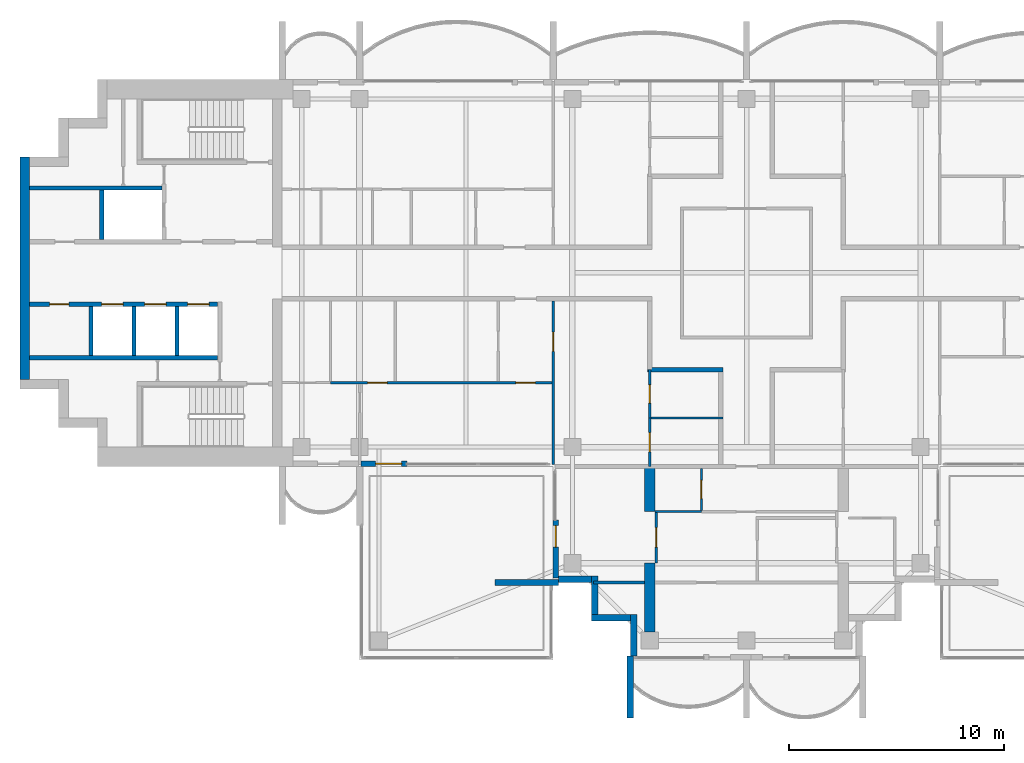
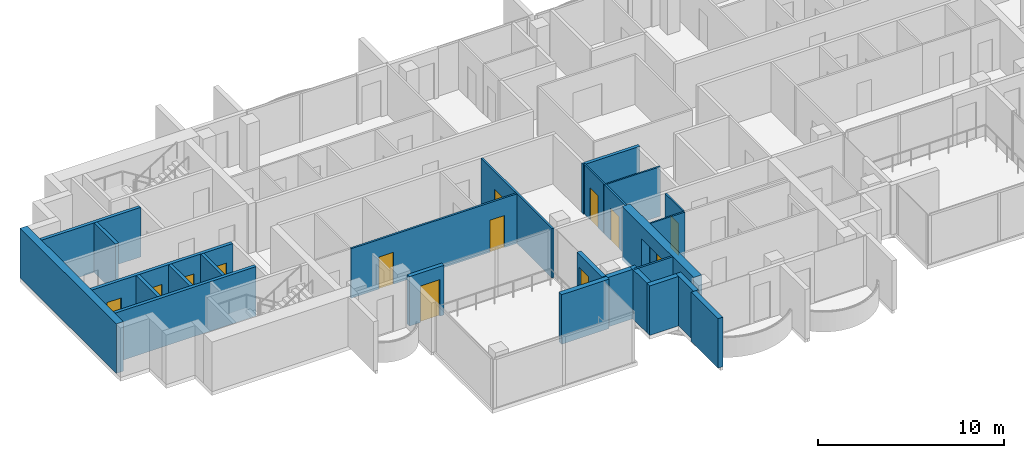
# One storey, part 7 of 16: 27 walls, 13 doors, 13 openings.
"""IFC4 building model written with IfcOpenShell, lengths in metres."""

import ifcopenshell
import ifcopenshell.guid

model = None  # the IFC model being written
_history = None  # IfcOwnerHistory: only IFC2X3 demands one
_inside = {}  # id of a spatial element -> (the spatial element, [elements in it])
_under = {}  # id of a project, library or spatial element -> (it, [spatial elements below it])
_declared = {}  # id of a project -> (the project, [libraries it declares])
_typed = {}  # id of a type object -> (the type object, [elements of that type])
_made_of = {}  # id of a material, layer set ... -> (it, [elements and type objects made of it])


def new_model(schema):
    """Start an empty IFC model of exactly this schema.

    Asked for "IFC4X3", IfcOpenShell would pick the latest addendum, in which some entities
    have other attributes; the version numbers below select the first issue.
    IFC2X3 requires an IfcOwnerHistory on every rooted entity: one is made here for all.
    """
    global model, _history
    if schema == "IFC4X3":
        model = ifcopenshell.file(schema_version=(4, 3, 0, 0))
    else:
        model = ifcopenshell.file(schema=schema)
    _inside.clear()
    _under.clear()
    _declared.clear()
    _typed.clear()
    _made_of.clear()
    _history = None
    if model.schema == "IFC2X3":
        org = make("IfcOrganization", Name="unknown")
        user = make(
            "IfcPersonAndOrganization",
            ThePerson=make("IfcPerson", FamilyName="unknown"),
            TheOrganization=org,
        )
        app = make(
            "IfcApplication",
            ApplicationDeveloper=org,
            Version="unknown",
            ApplicationFullName="unknown",
            ApplicationIdentifier="unknown",
        )
        _history = make(
            "IfcOwnerHistory",
            OwningUser=user,
            OwningApplication=app,
            ChangeAction="ADDED",
            CreationDate=0,
        )
    return model


def make(cls, **values):
    """One entity of the class cls with the attributes given. An attribute that is None is left unset."""
    return model.create_entity(
        cls, **{name: value for name, value in values.items() if value is not None}
    )


def rooted(cls, **values):
    """An entity with a GlobalId (a new one), such as an element, a storey or a relation."""
    return make(cls, GlobalId=ifcopenshell.guid.new(), OwnerHistory=_history, **values)


def si_unit(unit_type, name, prefix=None):
    """IfcSIUnit, for example si_unit("LENGTHUNIT", "METRE", prefix="MILLI")."""
    return make("IfcSIUnit", UnitType=unit_type, Prefix=prefix, Name=name)


def assignment(units):
    """IfcUnitAssignment: the units of a project."""
    return None if units is None else make("IfcUnitAssignment", Units=units)


def point(xyz):
    """IfcCartesianPoint."""
    return None if xyz is None else make("IfcCartesianPoint", Coordinates=xyz)


def direction(xyz):
    """IfcDirection."""
    return None if xyz is None else make("IfcDirection", DirectionRatios=xyz)


def frame(location, z_axis=None, x_axis=None):
    """IfcAxis2Placement3D, a coordinate frame: its origin and axes. An axis left out is left unset."""
    return make(
        "IfcAxis2Placement3D",
        Location=point(location),
        Axis=direction(z_axis),
        RefDirection=direction(x_axis),
    )


def frame_2d(location, x_axis=None):
    """IfcAxis2Placement2D, a coordinate frame in the plane: its origin and x axis."""
    return make(
        "IfcAxis2Placement2D", Location=point(location), RefDirection=direction(x_axis)
    )


def origin():
    """The frame at (0, 0, 0) with its axes left unset."""
    return frame((0.0, 0.0, 0.0))


def place(relative_to, where):
    """IfcLocalPlacement: puts the frame where relative to a parent placement (None: the world)."""
    return make(
        "IfcLocalPlacement", PlacementRelTo=relative_to, RelativePlacement=where
    )


def context(
    kind, dimensions, precision=None, world=None, true_north=None, identifier=None
):
    """IfcGeometricRepresentationContext, for example the 3D "Model" context."""
    return make(
        "IfcGeometricRepresentationContext",
        ContextIdentifier=identifier,
        ContextType=kind,
        CoordinateSpaceDimension=dimensions,
        Precision=precision,
        WorldCoordinateSystem=world,
        TrueNorth=true_north,
    )


def subcontext(parent, identifier, kind, view, scale=None):
    """IfcGeometricRepresentationSubContext, for example "Body" below "Model"."""
    return make(
        "IfcGeometricRepresentationSubContext",
        ContextIdentifier=identifier,
        ContextType=kind,
        ParentContext=parent,
        TargetScale=scale,
        TargetView=view,
    )


def project(units=None, contexts=None):
    """IfcProject with its units and contexts."""
    return rooted(
        "IfcProject",
        Name="project",
        RepresentationContexts=contexts,
        UnitsInContext=assignment(units),
    )


def spatial(cls, under=None, at=None, **own):
    """A site, building, storey or space (cls), placed at a placement, below another one or the project."""
    s = rooted(cls, ObjectPlacement=at, **own)
    if under is not None:
        _under.setdefault(under.id(), (under, []))[1].append(s)
    return s


def polyline(points):
    """IfcPolyline through the points."""
    return make("IfcPolyline", Points=[point(p) for p in points])


def profile(cls, at=None, kind="AREA", **sizes):
    """A parametric profile (cls). Its sizes go by their IFC names, for example OverallWidth=200.0."""
    return make(cls, ProfileType=kind, Position=at, **sizes)


def rectangle(**sizes):
    """IfcRectangleProfileDef."""
    return profile("IfcRectangleProfileDef", **sizes)


def outline(outer, holes=None, kind="AREA"):
    """IfcArbitraryClosedProfileDef: a profile drawn as a closed curve; with holes, ...WithVoids."""
    if holes is None:
        return make("IfcArbitraryClosedProfileDef", ProfileType=kind, OuterCurve=outer)
    return make(
        "IfcArbitraryProfileDefWithVoids",
        ProfileType=kind,
        OuterCurve=outer,
        InnerCurves=holes,
    )


def extrude(swept, where, along, depth):
    """IfcExtrudedAreaSolid: the profile swept, set in the frame where, extruded along a direction by depth."""
    return make(
        "IfcExtrudedAreaSolid",
        SweptArea=swept,
        Position=where,
        ExtrudedDirection=direction(along),
        Depth=depth,
    )


def shape(context_of_items, identifier, shape_type, items):
    """IfcShapeRepresentation: the items that make up one representation, for example the "Body"."""
    return make(
        "IfcShapeRepresentation",
        ContextOfItems=context_of_items,
        RepresentationIdentifier=identifier,
        RepresentationType=shape_type,
        Items=items,
    )


def material(Name=None, Category=None):
    """IfcMaterial."""
    return make("IfcMaterial", Name=Name, Category=Category)


def layer(
    of_material, thickness, ventilated=None, Name=None, Category=None, Priority=None
):
    """IfcMaterialLayer: one layer of a wall or slab, of a material (None: an air gap)."""
    return make(
        "IfcMaterialLayer",
        Material=of_material,
        LayerThickness=thickness,
        IsVentilated=ventilated,
        Name=Name,
        Category=Category,
        Priority=Priority,
    )


def layer_set(layers, Name=None):
    """IfcMaterialLayerSet."""
    return make("IfcMaterialLayerSet", MaterialLayers=layers, LayerSetName=Name)


def material_profile(
    of_material, cross_section, Name=None, Category=None, Priority=None
):
    """IfcMaterialProfile: a cross section and its material."""
    return make(
        "IfcMaterialProfile",
        Name=Name,
        Material=of_material,
        Profile=cross_section,
        Priority=Priority,
        Category=Category,
    )


def profile_set(profiles, Name=None, composite=None):
    """IfcMaterialProfileSet."""
    return make(
        "IfcMaterialProfileSet",
        Name=Name,
        MaterialProfiles=profiles,
        CompositeProfile=composite,
    )


def made_of(thing, what):
    """Note that an element or type object is made of a material, layer set ...; save() writes the relation."""
    if what is not None:
        _made_of.setdefault(what.id(), (what, []))[1].append(thing)
    return thing


def type_object(cls, material=None, **own):
    """A type object (cls), such as IfcWallType, which elements share."""
    return made_of(rooted(cls, **own), material)


def element(
    cls,
    number,
    at=None,
    inside=None,
    cuts=None,
    type_object=None,
    material=None,
    context=None,
    identifier="Body",
    shape_type=None,
    held_by="IfcProductDefinitionShape",
    body=None,
    shapes=None,
    **own,
):
    """One element of the class cls, such as IfcWall. Its Tag is "e" and its number.

    at: its placement. inside: the storey or other place that contains it. cuts: it is an
    opening in that element (IfcRelVoidsElement). A single representation is given by context,
    identifier, shape_type and body (its items); several are given by shapes. held_by: the class
    of the entity that holds the representations. save() writes the other relations.
    """
    e = rooted(cls, Tag="e%d" % number, ObjectPlacement=at, **own)
    if body is not None:
        shapes = [shape(context, identifier, shape_type, body)]
    if shapes is not None:
        e.Representation = make(held_by, Representations=shapes)
    if inside is not None:
        _inside.setdefault(inside.id(), (inside, []))[1].append(e)
    if cuts is not None:
        rooted(
            "IfcRelVoidsElement", RelatingBuildingElement=cuts, RelatedOpeningElement=e
        )
    if type_object is not None:
        _typed.setdefault(type_object.id(), (type_object, []))[1].append(e)
    return made_of(e, material)


def fill(opening, filler):
    """IfcRelFillsElement: the door or window that sits in an opening."""
    return rooted(
        "IfcRelFillsElement",
        RelatingOpeningElement=opening,
        RelatedBuildingElement=filler,
    )


def aggregate(whole, parts):
    """IfcRelAggregates: a whole, such as a stair, and the parts it consists of."""
    return rooted("IfcRelAggregates", RelatingObject=whole, RelatedObjects=parts)


def save(model, path):
    """Write the relations noted so far, then the file.

    IfcRelAggregates (storeys below a building ...), IfcRelContainedInSpatialStructure (elements
    in a storey), IfcRelDefinesByType, IfcRelAssociatesMaterial and IfcRelDeclares: one each for
    every whole, place, type object, material and project.
    """
    for whole, parts in _under.values():
        aggregate(whole, parts)
    for where, things in _inside.values():
        rooted(
            "IfcRelContainedInSpatialStructure",
            RelatedElements=things,
            RelatingStructure=where,
        )
    for kind, things in _typed.values():
        rooted("IfcRelDefinesByType", RelatedObjects=things, RelatingType=kind)
    for what, things in _made_of.values():
        rooted("IfcRelAssociatesMaterial", RelatedObjects=things, RelatingMaterial=what)
    for by, libraries in _declared.values():
        rooted("IfcRelDeclares", RelatingContext=by, RelatedDefinitions=libraries)
    model.write(path)


model = new_model("IFC4")

# Units and contexts
model_context = context("Model", 3, precision=1e-05, world=origin(), true_north=direction((0.0, 1.0)))
body_context = subcontext(model_context, "Body", "Model", "MODEL_VIEW")
ifc_project = project(units=[si_unit("LENGTHUNIT", "METRE"), si_unit("AREAUNIT", "SQUARE_METRE"), si_unit("VOLUMEUNIT", "CUBIC_METRE"), si_unit("PLANEANGLEUNIT", "RADIAN"), si_unit("MASSUNIT", "GRAM", prefix="KILO")], contexts=[model_context])

# Site, building, storey
site_placement = place(None, origin())
site = spatial("IfcSite", under=ifc_project, at=site_placement, CompositionType="ELEMENT")
building_placement = place(site_placement, origin())
building = spatial("IfcBuilding", under=site, at=building_placement, Name="Perihelion Cross Residences", CompositionType="ELEMENT")
storey_placement = place(building_placement, frame((0.0, 0.0, 243.0)))
storey = spatial("IfcBuildingStorey", under=building, at=storey_placement, Name="L61", CompositionType="ELEMENT", Elevation=243.0)

# Wall
ifc_material_1 = material(Name="Plasterboard partition")
ifc_layer_1 = layer(ifc_material_1, 0.199951171875)
ifc_layer_set_1 = layer_set([ifc_layer_1], Name="Apartment separation wall 200")
wall_type_1 = type_object("IfcWallType", Name="Apartment separation wall 200", PredefinedType="PARTITIONING", material=ifc_layer_set_1)
wall_1_placement = place(storey_placement, frame((-1.10009765625, -4.5, 0.0), z_axis=(0.0, 0.0, 1.0), x_axis=(-1.0, 0.0, 0.0)))
element("IfcWall", 1, at=wall_1_placement, inside=storey, type_object=wall_type_1, Name="Partition L61 W020", PredefinedType="PARTITIONING", context=body_context, shape_type="SweptSolid", body=[
    extrude(rectangle(XDim=3.5, YDim=0.199951171875, at=frame_2d((1.75, 0.0))), origin(), (0.0, 0.0, 1.0), 3.25),
])

# Wall, opening, door
ifc_material_2 = material(Name="Concrete C30/37, bronze-clad", Category="concrete")
ifc_layer_2 = layer(ifc_material_2, 0.25)
ifc_layer_set_2 = layer_set([ifc_layer_2], Name="Bronze-clad pier wall 250")
wall_type_2 = type_object("IfcWallType", Name="Bronze-clad pier wall 250", PredefinedType="SOLIDWALL", material=ifc_layer_set_2)
wall_2_placement = place(storey_placement, frame((-17.93994140625, -8.875, 0.0), z_axis=(0.0, 0.0, 1.0), x_axis=(1.0, 0.0, 0.0)))
wall_2 = element("IfcWall", 2, at=wall_2_placement, inside=storey, type_object=wall_type_2, Name="Wall FW1 L61 west side south bay 2 pier", PredefinedType="SOLIDWALL", context=body_context, shape_type="SweptSolid", body=[
    extrude(rectangle(XDim=2.139892578125, YDim=0.25, at=frame_2d((1.06982421875, 0.0))), origin(), (0.0, 0.0, 1.0), 3.25),
])
opening_1_placement = place(wall_2_placement, frame((0.68994140625, 0.0, 0.0)))
opening_1 = element("IfcOpeningElement", 3, at=opening_1_placement, cuts=wall_2, Name="Opening L61.E08", PredefinedType="OPENING", context=body_context, shape_type="SweptSolid", body=[
    extrude(rectangle(XDim=1.199951171875, YDim=2.39990234375, at=frame_2d((0.60009765625, 1.199951171875))), frame((0.0, 0.135009765625, 0.0), z_axis=(0.0, -1.0, 0.0), x_axis=(1.0, 0.0, 0.0)), (0.0, 0.0, 1.0), 0.27001953125),
])
ifc_material_3 = material(Name="Bronze anodised aluminium, glazed", Category="aluminium")
door_type_1 = type_object("IfcDoorType", Name="Balcony door 1200 x 2400", OperationType="NOTDEFINED", PredefinedType="DOOR", material=ifc_material_3)
door_1_placement = place(opening_1_placement, origin())
door_1 = element("IfcDoor", 4, at=door_1_placement, inside=storey, type_object=door_type_1, Name="Door L61.E08 west side south bay 2", OperationType="SINGLE_SWING_RIGHT", OverallHeight=2.39990234375, OverallWidth=1.199951171875, PredefinedType="DOOR", context=body_context, shape_type="SweptSolid", body=[
    extrude(rectangle(XDim=1.199951171875, YDim=2.39990234375, at=frame_2d((0.60009765625, 1.199951171875))), frame((0.0, 0.02490234375, 0.0), z_axis=(0.0, -1.0, 0.0), x_axis=(1.0, 0.0, 0.0)), (0.0, 0.0, 1.0), 0.050048828125),
])
fill(opening_1, door_1)

wall_3_placement = place(storey_placement, frame((-8.875, -11.5, 0.0), z_axis=(0.0, 0.0, 1.0), x_axis=(0.0, -1.0, 0.0)))
wall_3 = element("IfcWall", 5, at=wall_3_placement, inside=storey, type_object=wall_type_2, Name="Wall FW1 L61 south side west bay 1 pier", PredefinedType="SOLIDWALL", context=body_context, shape_type="SweptSolid", body=[
    extrude(rectangle(XDim=2.699951171875, YDim=0.25, at=frame_2d((1.35009765625, 0.0))), origin(), (0.0, 0.0, 1.0), 3.25),
])
opening_2_placement = place(wall_3_placement, frame((0.25, 0.0, 0.0)))
opening_2 = element("IfcOpeningElement", 6, at=opening_2_placement, cuts=wall_3, Name="Opening L61.E09", PredefinedType="OPENING", context=body_context, shape_type="SweptSolid", body=[
    extrude(rectangle(XDim=1.0, YDim=2.39990234375, at=frame_2d((0.5, 1.199951171875))), frame((0.0, 0.135009765625, 0.0), z_axis=(0.0, -1.0, 0.0), x_axis=(1.0, 0.0, 0.0)), (0.0, 0.0, 1.0), 0.27001953125),
])
ifc_material_4 = material(Name="Bronze anodised aluminium, glazed", Category="aluminium")
door_type_2 = type_object("IfcDoorType", Name="Balcony door 1000 x 2400", OperationType="NOTDEFINED", PredefinedType="DOOR", material=ifc_material_4)
door_2_placement = place(opening_2_placement, origin())
door_2 = element("IfcDoor", 7, at=door_2_placement, inside=storey, type_object=door_type_2, Name="Door L61.E09 south side west bay 1", OperationType="SINGLE_SWING_LEFT", OverallHeight=2.39990234375, OverallWidth=1.0, PredefinedType="DOOR", context=body_context, shape_type="SweptSolid", body=[
    extrude(rectangle(XDim=1.0, YDim=2.39990234375, at=frame_2d((0.5, 1.199951171875))), frame((0.0, 0.02490234375, 0.0), z_axis=(0.0, -1.0, 0.0), x_axis=(1.0, 0.0, 0.0)), (0.0, 0.0, 1.0), 0.050048828125),
])
fill(opening_2, door_2)

# Walls
ifc_material_5 = material(Name="Concrete C30/37, bronze-clad", Category="concrete")
ifc_layer_3 = layer(ifc_material_5, 0.300048828125)
ifc_layer_set_3 = layer_set([ifc_layer_3], Name="Bronze-clad serration wall 300")
wall_type_3 = type_object("IfcWallType", Name="Bronze-clad serration wall 300", PredefinedType="SOLIDWALL", material=ifc_layer_set_3)
wall_4_placement = place(storey_placement, frame((-8.75, -14.25, 0.0), z_axis=(0.0, 0.0, 1.0), x_axis=(1.0, 0.0, 0.0)))
element("IfcWall", 8, at=wall_4_placement, inside=storey, type_object=wall_type_3, Name="Wall SR1 L61 south corner south-west 1", PredefinedType="SOLIDWALL", context=body_context, shape_type="SweptSolid", body=[
    extrude(rectangle(XDim=1.550048828125, YDim=0.300048828125, at=frame_2d((0.77490234375, 0.0))), origin(), (0.0, 0.0, 1.0), 3.25),
])
wall_5_placement = place(storey_placement, frame((-7.050048828125, -14.10009765625, 0.0), z_axis=(0.0, 0.0, 1.0), x_axis=(0.0, -1.0, 0.0)))
element("IfcWall", 9, at=wall_5_placement, inside=storey, type_object=wall_type_3, Name="Wall SR1 L61 south corner south-west 2", PredefinedType="SOLIDWALL", context=body_context, shape_type="SweptSolid", body=[
    extrude(rectangle(XDim=1.7998046875, YDim=0.300048828125, at=frame_2d((0.89990234375, 0.0))), origin(), (0.0, 0.0, 1.0), 3.25),
])
wall_6_placement = place(storey_placement, frame((-7.199951171875, -16.050048828125, 0.0), z_axis=(0.0, 0.0, 1.0), x_axis=(1.0, 0.0, 0.0)))
element("IfcWall", 10, at=wall_6_placement, inside=storey, type_object=wall_type_3, Name="Wall SR1 L61 south corner south-west 3", PredefinedType="SOLIDWALL", context=body_context, shape_type="SweptSolid", body=[
    extrude(rectangle(XDim=1.800048828125, YDim=0.300048828125, at=frame_2d((0.89990234375, 0.0))), origin(), (0.0, 0.0, 1.0), 3.25),
])
wall_7_placement = place(storey_placement, frame((-5.25, -15.89990234375, 0.0), z_axis=(0.0, 0.0, 1.0), x_axis=(0.0, -1.0, 0.0)))
element("IfcWall", 11, at=wall_7_placement, inside=storey, type_object=wall_type_3, Name="Wall SR1 L61 south corner south-west 4", PredefinedType="SOLIDWALL", context=body_context, shape_type="SweptSolid", body=[
    extrude(rectangle(XDim=1.920166015625, YDim=0.300048828125, at=frame_2d((0.9599609375, 0.0))), origin(), (0.0, 0.0, 1.0), 3.25),
])
ifc_material_6 = material(Name="Concrete C60/75", Category="concrete")
ifc_layer_4 = layer(ifc_material_6, 0.449951171875)
ifc_layer_set_4 = layer_set([ifc_layer_4], Name="Core wall, outer 450")
wall_type_4 = type_object("IfcWallType", Name="Core wall, outer 450", PredefinedType="SHEAR", material=ifc_layer_set_4)
wall_8_placement = place(storey_placement, frame((-33.574951171875, -4.949951171875, 0.0), z_axis=(0.0, 0.0, 1.0), x_axis=(0.0, 1.0, 0.0)))
element("IfcWall", 12, at=wall_8_placement, inside=storey, type_object=wall_type_4, Name="West core core wall, outer", PredefinedType="SHEAR", context=body_context, shape_type="SweptSolid", body=[
    extrude(rectangle(XDim=10.349853515625, YDim=0.449951171875, at=frame_2d((5.1748046875, 0.0))), origin(), (0.0, 0.0, 1.0), 3.25),
])

# Wall, opening, door
ifc_material_7 = material(Name="Plasterboard partition")
ifc_layer_5 = layer(ifc_material_7, 0.1201171875)
ifc_layer_set_5 = layer_set([ifc_layer_5], Name="Infill panel 120")
wall_type_5 = type_object("IfcWallType", Name="Infill panel 120", PredefinedType="PARTITIONING", material=ifc_layer_set_5)
wall_9_placement = place(storey_placement, frame((-4.18994140625, -11.10009765625, 0.0), z_axis=(0.0, 0.0, 1.0), x_axis=(0.0, -1.0, 0.0)))
wall_9 = element("IfcWall", 13, at=wall_9_placement, inside=storey, type_object=wall_type_5, Name="Partition L61 WI02", PredefinedType="PARTITIONING", context=body_context, shape_type="SweptSolid", body=[
    extrude(rectangle(XDim=2.39990234375, YDim=0.1201171875, at=frame_2d((1.199951171875, 0.0))), origin(), (0.0, 0.0, 1.0), 2.39990234375),
])
opening_3_placement = place(wall_9_placement, frame((0.75, 0.0, 0.0)))
opening_3 = element("IfcOpeningElement", 14, at=opening_3_placement, cuts=wall_9, Name="Opening L61.A43", PredefinedType="OPENING", context=body_context, shape_type="SweptSolid", body=[
    extrude(rectangle(XDim=0.89990234375, YDim=2.10009765625, at=frame_2d((0.449951171875, 1.050048828125))), frame((0.0, 0.070068359375, 0.0), z_axis=(0.0, -1.0, 0.0), x_axis=(1.0, 0.0, 0.0)), (0.0, 0.0, 1.0), 0.14013671875),
])
ifc_material_8 = material(Name="Timber door leaf", Category="wood")
door_type_3 = type_object("IfcDoorType", Name="Interior room door 900 x 2100", OperationType="SINGLE_SWING_LEFT", PredefinedType="DOOR", material=ifc_material_8)
door_3_placement = place(opening_3_placement, origin())
door_3 = element("IfcDoor", 15, at=door_3_placement, inside=storey, type_object=door_type_3, Name="Door L61.A43", OperationType="SINGLE_SWING_LEFT", OverallHeight=2.10009765625, OverallWidth=0.89990234375, PredefinedType="DOOR", context=body_context, shape_type="SweptSolid", body=[
    extrude(rectangle(XDim=0.89990234375, YDim=2.10009765625, at=frame_2d((0.449951171875, 1.050048828125))), frame((0.0, 0.02490234375, 0.0), z_axis=(0.0, -1.0, 0.0), x_axis=(1.0, 0.0, 0.0)), (0.0, 0.0, 1.0), 0.050048828125),
])
fill(opening_3, door_3)

# Wall, openings, doors
ifc_material_9 = material(Name="Plasterboard partition")
ifc_layer_6 = layer(ifc_material_9, 0.1201171875)
ifc_layer_set_6 = layer_set([ifc_layer_6], Name="Partition wall 120")
wall_type_6 = type_object("IfcWallType", Name="Partition wall 120", PredefinedType="PARTITIONING", material=ifc_layer_set_6)
wall_10_placement = place(storey_placement, frame((-8.93994140625, -5.10009765625, 0.0), z_axis=(0.0, 0.0, 1.0), x_axis=(-1.0, 0.0, 0.0)))
wall_10 = element("IfcWall", 16, at=wall_10_placement, inside=storey, type_object=wall_type_6, Name="Partition L61 W052", PredefinedType="PARTITIONING", context=body_context, shape_type="SweptSolid", body=[
    extrude(rectangle(XDim=10.41015625, YDim=0.1201171875, at=frame_2d((5.205078125, 0.0))), origin(), (0.0, 0.0, 1.0), 3.25),
])
opening_4_placement = place(wall_10_placement, frame((0.885009765625, 0.0, 0.0)))
opening_4 = element("IfcOpeningElement", 17, at=opening_4_placement, cuts=wall_10, Name="Opening L61.A30", PredefinedType="OPENING", context=body_context, shape_type="SweptSolid", body=[
    extrude(rectangle(XDim=0.89990234375, YDim=2.10009765625, at=frame_2d((0.449951171875, 1.050048828125))), frame((0.0, 0.070068359375, 0.0), z_axis=(0.0, -1.0, 0.0), x_axis=(1.0, 0.0, 0.0)), (0.0, 0.0, 1.0), 0.14013671875),
])
opening_5_placement = place(wall_10_placement, frame((7.784912109375, 0.0, 0.0)))
opening_5 = element("IfcOpeningElement", 18, at=opening_5_placement, cuts=wall_10, Name="Opening L61.A31", PredefinedType="OPENING", context=body_context, shape_type="SweptSolid", body=[
    extrude(rectangle(XDim=0.89990234375, YDim=2.10009765625, at=frame_2d((0.449951171875, 1.050048828125))), frame((0.0, 0.070068359375, 0.0), z_axis=(0.0, -1.0, 0.0), x_axis=(1.0, 0.0, 0.0)), (0.0, 0.0, 1.0), 0.14013671875),
])
door_4_placement = place(opening_4_placement, origin())
door_4 = element("IfcDoor", 19, at=door_4_placement, inside=storey, type_object=door_type_3, Name="Door L61.A30", OperationType="SINGLE_SWING_RIGHT", OverallHeight=2.10009765625, OverallWidth=0.89990234375, PredefinedType="DOOR", context=body_context, shape_type="SweptSolid", body=[
    extrude(rectangle(XDim=0.89990234375, YDim=2.10009765625, at=frame_2d((0.449951171875, 1.050048828125))), frame((0.0, 0.02490234375, 0.0), z_axis=(0.0, -1.0, 0.0), x_axis=(1.0, 0.0, 0.0)), (0.0, 0.0, 1.0), 0.050048828125),
])
fill(opening_4, door_4)
door_5_placement = place(opening_5_placement, origin())
door_5 = element("IfcDoor", 20, at=door_5_placement, inside=storey, type_object=door_type_3, Name="Door L61.A31", OperationType="SINGLE_SWING_LEFT", OverallHeight=2.10009765625, OverallWidth=0.89990234375, PredefinedType="DOOR", context=body_context, shape_type="SweptSolid", body=[
    extrude(rectangle(XDim=0.89990234375, YDim=2.10009765625, at=frame_2d((0.449951171875, 1.050048828125))), frame((0.0, 0.02490234375, 0.0), z_axis=(0.0, -1.0, 0.0), x_axis=(1.0, 0.0, 0.0)), (0.0, 0.0, 1.0), 0.050048828125),
])
fill(opening_5, door_5)

# Wall, opening, door
wall_11_placement = place(storey_placement, frame((-9.0, -1.300048828125, 0.0), z_axis=(0.0, 0.0, 1.0), x_axis=(0.0, -1.0, 0.0)))
wall_11 = element("IfcWall", 21, at=wall_11_placement, inside=storey, type_object=wall_type_6, Name="Partition L61 W053", PredefinedType="PARTITIONING", context=body_context, shape_type="SweptSolid", body=[
    extrude(rectangle(XDim=7.619873046875, YDim=0.1201171875, at=frame_2d((3.81005859375, 0.0))), origin(), (0.0, 0.0, 1.0), 3.25),
])
opening_6_placement = place(wall_11_placement, frame((1.449951171875, 0.0, 0.0)))
opening_6 = element("IfcOpeningElement", 22, at=opening_6_placement, cuts=wall_11, Name="Opening L61.A26", PredefinedType="OPENING", context=body_context, shape_type="SweptSolid", body=[
    extrude(rectangle(XDim=0.89990234375, YDim=2.10009765625, at=frame_2d((0.449951171875, 1.050048828125))), frame((0.0, 0.070068359375, 0.0), z_axis=(0.0, -1.0, 0.0), x_axis=(1.0, 0.0, 0.0)), (0.0, 0.0, 1.0), 0.14013671875),
])
door_6_placement = place(opening_6_placement, origin())
door_6 = element("IfcDoor", 23, at=door_6_placement, inside=storey, type_object=door_type_3, Name="Door L61.A26", OperationType="SINGLE_SWING_RIGHT", OverallHeight=2.10009765625, OverallWidth=0.89990234375, PredefinedType="DOOR", context=body_context, shape_type="SweptSolid", body=[
    extrude(rectangle(XDim=0.89990234375, YDim=2.10009765625, at=frame_2d((0.449951171875, 1.050048828125))), frame((0.0, 0.02490234375, 0.0), z_axis=(0.0, -1.0, 0.0), x_axis=(1.0, 0.0, 0.0)), (0.0, 0.0, 1.0), 0.050048828125),
])
fill(opening_6, door_6)

wall_12_placement = place(storey_placement, frame((-4.5, -6.75, 0.0), z_axis=(0.0, 0.0, 1.0), x_axis=(0.0, -1.0, 0.0)))
wall_12 = element("IfcWall", 24, at=wall_12_placement, inside=storey, type_object=wall_type_6, Name="Partition L61 W059", PredefinedType="PARTITIONING", context=body_context, shape_type="SweptSolid", body=[
    extrude(rectangle(XDim=2.25, YDim=0.1201171875, at=frame_2d((1.125, 0.0))), origin(), (0.0, 0.0, 1.0), 3.25),
])
opening_7_placement = place(wall_12_placement, frame((0.675048828125, 0.0, 0.0)))
opening_7 = element("IfcOpeningElement", 25, at=opening_7_placement, cuts=wall_12, Name="Opening L61.A28", PredefinedType="OPENING", context=body_context, shape_type="SweptSolid", body=[
    extrude(rectangle(XDim=0.89990234375, YDim=2.10009765625, at=frame_2d((0.449951171875, 1.050048828125))), frame((0.0, 0.070068359375, 0.0), z_axis=(0.0, -1.0, 0.0), x_axis=(1.0, 0.0, 0.0)), (0.0, 0.0, 1.0), 0.14013671875),
])
door_7_placement = place(opening_7_placement, origin())
door_7 = element("IfcDoor", 26, at=door_7_placement, inside=storey, type_object=door_type_3, Name="Door L61.A28", OperationType="SINGLE_SWING_RIGHT", OverallHeight=2.10009765625, OverallWidth=0.89990234375, PredefinedType="DOOR", context=body_context, shape_type="SweptSolid", body=[
    extrude(rectangle(XDim=0.89990234375, YDim=2.10009765625, at=frame_2d((0.449951171875, 1.050048828125))), frame((0.0, 0.02490234375, 0.0), z_axis=(0.0, -1.0, 0.0), x_axis=(1.0, 0.0, 0.0)), (0.0, 0.0, 1.0), 0.050048828125),
])
fill(opening_7, door_7)

# Walls
wall_13_placement = place(storey_placement, frame((-4.75, -14.39990234375, 0.0), z_axis=(0.0, 0.0, 1.0), x_axis=(-1.0, 0.0, 0.0)))
element("IfcWall", 27, at=wall_13_placement, inside=storey, type_object=wall_type_6, Name="Partition L61 W070", PredefinedType="PARTITIONING", context=body_context, shape_type="SweptSolid", body=[
    extrude(rectangle(XDim=2.3701171875, YDim=0.1201171875, at=frame_2d((1.18505859375, 0.0))), origin(), (0.0, 0.0, 1.0), 3.25),
])
ifc_material_10 = material(Name="Precast concrete C50/60", Category="concrete")
ifc_layer_7 = layer(ifc_material_10, 0.300048828125)
ifc_layer_set_7 = layer_set([ifc_layer_7], Name="Precast concrete C50/60 blade wall 300")
wall_type_7 = type_object("IfcWallType", Name="Precast concrete C50/60 blade wall 300", PredefinedType="SOLIDWALL", material=ifc_layer_set_7)
wall_14_placement = place(storey_placement, frame((-8.75, -14.39990234375, 0.0), z_axis=(0.0, 0.0, 1.0), x_axis=(-1.0, 0.0, 0.0)))
element("IfcWall", 28, at=wall_14_placement, inside=storey, type_object=wall_type_7, Name="Wall BL1 L61 no. 6", PredefinedType="SOLIDWALL", context=body_context, shape_type="SweptSolid", body=[
    extrude(rectangle(XDim=2.949951171875, YDim=0.300048828125, at=frame_2d((1.47509765625, 0.0))), origin(), (0.0, 0.0, 1.0), 3.25),
])
wall_15_placement = place(storey_placement, frame((-5.39990234375, -17.820068359375, 0.0), z_axis=(0.0, 0.0, 1.0), x_axis=(0.0, -1.0, 0.0)))
element("IfcWall", 29, at=wall_15_placement, inside=storey, type_object=wall_type_7, Name="Wall BL1 L61 no. 5", PredefinedType="SOLIDWALL", context=body_context, shape_type="SweptSolid", body=[
    extrude(rectangle(XDim=2.8798828125, YDim=0.300048828125, at=frame_2d((1.43994140625, 0.0))), origin(), (0.0, 0.0, 1.0), 3.25),
])

# Wall, openings, doors
ifc_material_11 = material(Name="Concrete C50/60", Category="concrete")
ifc_layer_8 = layer(ifc_material_11, 0.199951171875)
ifc_layer_set_8 = layer_set([ifc_layer_8], Name="Shaft wall 200")
wall_type_8 = type_object("IfcWallType", Name="Shaft wall 200", PredefinedType="SOLIDWALL", material=ifc_layer_set_8)
wall_16_placement = place(storey_placement, frame((-33.35009765625, -1.449951171875, 0.0), z_axis=(0.0, 0.0, 1.0), x_axis=(1.0, 0.0, 0.0)))
wall_16 = element("IfcWall", 30, at=wall_16_placement, inside=storey, type_object=wall_type_8, Name="West core shaft wall", PredefinedType="SOLIDWALL", context=body_context, shape_type="SweptSolid", body=[
    extrude(rectangle(XDim=8.75, YDim=0.199951171875, at=frame_2d((4.375, 0.0))), origin(), (0.0, 0.0, 1.0), 3.25),
])
opening_8_placement = place(wall_16_placement, frame((7.35009765625, 0.0, 0.0)))
opening_8 = element("IfcOpeningElement", 31, at=opening_8_placement, cuts=wall_16, Name="Opening L61.C15", PredefinedType="OPENING", context=body_context, shape_type="SweptSolid", body=[
    extrude(rectangle(XDim=1.0, YDim=2.10009765625, at=frame_2d((0.5, 1.050048828125))), frame((0.0, 0.10986328125, 0.0), z_axis=(0.0, -1.0, 0.0), x_axis=(1.0, 0.0, 0.0)), (0.0, 0.0, 1.0), 0.219970703125),
])
opening_9_placement = place(wall_16_placement, frame((5.35009765625, 0.0, 0.0)))
opening_9 = element("IfcOpeningElement", 32, at=opening_9_placement, cuts=wall_16, Name="Opening L61.C17", PredefinedType="OPENING", context=body_context, shape_type="SweptSolid", body=[
    extrude(rectangle(XDim=1.0, YDim=2.10009765625, at=frame_2d((0.5, 1.050048828125))), frame((0.0, 0.10986328125, 0.0), z_axis=(0.0, -1.0, 0.0), x_axis=(1.0, 0.0, 0.0)), (0.0, 0.0, 1.0), 0.219970703125),
])
opening_10_placement = place(wall_16_placement, frame((3.35009765625, 0.0, 0.0)))
opening_10 = element("IfcOpeningElement", 33, at=opening_10_placement, cuts=wall_16, Name="Opening L61.C18", PredefinedType="OPENING", context=body_context, shape_type="SweptSolid", body=[
    extrude(rectangle(XDim=1.0, YDim=2.10009765625, at=frame_2d((0.5, 1.050048828125))), frame((0.0, 0.10986328125, 0.0), z_axis=(0.0, -1.0, 0.0), x_axis=(1.0, 0.0, 0.0)), (0.0, 0.0, 1.0), 0.219970703125),
])
opening_11_placement = place(wall_16_placement, frame((0.925048828125, 0.0, 0.0)))
opening_11 = element("IfcOpeningElement", 34, at=opening_11_placement, cuts=wall_16, Name="Opening L61.C28", PredefinedType="OPENING", context=body_context, shape_type="SweptSolid", body=[
    extrude(rectangle(XDim=0.89990234375, YDim=2.10009765625, at=frame_2d((0.449951171875, 1.050048828125))), frame((0.0, 0.10986328125, 0.0), z_axis=(0.0, -1.0, 0.0), x_axis=(1.0, 0.0, 0.0)), (0.0, 0.0, 1.0), 0.219970703125),
])
ifc_material_12 = material(Name="Stainless steel", Category="steel")
door_type_4 = type_object("IfcDoorType", Name="Landing door 1000", OperationType="DOUBLE_DOOR_SLIDING", PredefinedType="DOOR", material=ifc_material_12)
door_8_placement = place(opening_8_placement, origin())
door_8 = element("IfcDoor", 35, at=door_8_placement, inside=storey, type_object=door_type_4, Name="Landing door, West core high-rise lift 1", OperationType="DOUBLE_DOOR_SLIDING", OverallHeight=2.10009765625, OverallWidth=1.0, PredefinedType="DOOR", context=body_context, shape_type="SweptSolid", body=[
    extrude(rectangle(XDim=1.0, YDim=2.10009765625, at=frame_2d((0.5, 1.050048828125))), frame((0.0, 0.02490234375, 0.0), z_axis=(0.0, -1.0, 0.0), x_axis=(1.0, 0.0, 0.0)), (0.0, 0.0, 1.0), 0.050048828125),
])
fill(opening_8, door_8)
door_9_placement = place(opening_9_placement, origin())
door_9 = element("IfcDoor", 36, at=door_9_placement, inside=storey, type_object=door_type_4, Name="Landing door, West core high-rise lift 2", OperationType="DOUBLE_DOOR_SLIDING", OverallHeight=2.10009765625, OverallWidth=1.0, PredefinedType="DOOR", context=body_context, shape_type="SweptSolid", body=[
    extrude(rectangle(XDim=1.0, YDim=2.10009765625, at=frame_2d((0.5, 1.050048828125))), frame((0.0, 0.02490234375, 0.0), z_axis=(0.0, -1.0, 0.0), x_axis=(1.0, 0.0, 0.0)), (0.0, 0.0, 1.0), 0.050048828125),
])
fill(opening_9, door_9)
door_10_placement = place(opening_10_placement, origin())
door_10 = element("IfcDoor", 37, at=door_10_placement, inside=storey, type_object=door_type_4, Name="Landing door, West core high-rise lift 3", OperationType="DOUBLE_DOOR_SLIDING", OverallHeight=2.10009765625, OverallWidth=1.0, PredefinedType="DOOR", context=body_context, shape_type="SweptSolid", body=[
    extrude(rectangle(XDim=1.0, YDim=2.10009765625, at=frame_2d((0.5, 1.050048828125))), frame((0.0, 0.02490234375, 0.0), z_axis=(0.0, -1.0, 0.0), x_axis=(1.0, 0.0, 0.0)), (0.0, 0.0, 1.0), 0.050048828125),
])
fill(opening_10, door_10)
ifc_material_13 = material(Name="Steel, powder coated", Category="steel")
door_type_5 = type_object("IfcDoorType", Name="Service room door 900", OperationType="SINGLE_SWING_LEFT", PredefinedType="DOOR", material=ifc_material_13)
door_11_placement = place(opening_11_placement, origin())
door_11 = element("IfcDoor", 38, at=door_11_placement, inside=storey, type_object=door_type_5, Name="West core service room door", OperationType="SINGLE_SWING_LEFT", OverallHeight=2.10009765625, OverallWidth=0.89990234375, PredefinedType="DOOR", context=body_context, shape_type="SweptSolid", body=[
    extrude(rectangle(XDim=0.89990234375, YDim=2.10009765625, at=frame_2d((0.449951171875, 1.050048828125))), frame((0.0, 0.02490234375, 0.0), z_axis=(0.0, -1.0, 0.0), x_axis=(1.0, 0.0, 0.0)), (0.0, 0.0, 1.0), 0.050048828125),
])
fill(opening_11, door_11)

# Walls
wall_17_placement = place(storey_placement, frame((-33.35009765625, 3.949951171875, 0.0), z_axis=(0.0, 0.0, 1.0), x_axis=(1.0, 0.0, 0.0)))
element("IfcWall", 39, at=wall_17_placement, inside=storey, type_object=wall_type_8, Name="West core shaft wall", PredefinedType="SOLIDWALL", context=body_context, shape_type="SweptSolid", body=[
    extrude(rectangle(XDim=6.150146484375, YDim=0.199951171875, at=frame_2d((3.0751953125, 0.0))), origin(), (0.0, 0.0, 1.0), 3.25),
])
wall_18_placement = place(storey_placement, frame((-33.35009765625, -3.949951171875, 0.0), z_axis=(0.0, 0.0, 1.0), x_axis=(1.0, 0.0, 0.0)))
element("IfcWall", 40, at=wall_18_placement, inside=storey, type_object=wall_type_8, Name="West core shaft wall", PredefinedType="SOLIDWALL", context=body_context, shape_type="SweptSolid", body=[
    extrude(rectangle(XDim=8.75, YDim=0.199951171875, at=frame_2d((4.375, 0.0))), origin(), (0.0, 0.0, 1.0), 3.25),
])
for number, where, z_axis, x_axis, name in (
    (41, (-30.0, 1.550048828125, 0.0), (0.0, 0.0, 1.0), (0.0, 1.0, 0.0), "West core shaft wall"),
    (42, (-26.5, -3.85009765625, 0.0), (0.0, 0.0, 1.0), (0.0, 1.0, 0.0), "West core shaft wall"),
    (43, (-28.5, -3.85009765625, 0.0), (0.0, 0.0, 1.0), (0.0, 1.0, 0.0), "West core shaft wall"),
    (44, (-30.5, -3.85009765625, 0.0), (0.0, 0.0, 1.0), (0.0, 1.0, 0.0), "West core shaft wall"),
):
    element("IfcWall", number, at=place(storey_placement, frame(where, z_axis=z_axis, x_axis=x_axis)), inside=storey, type_object=wall_type_8, Name=name, PredefinedType="SOLIDWALL", context=body_context, shape_type="SweptSolid", body=[
        extrude(rectangle(XDim=2.300048828125, YDim=0.199951171875, at=frame_2d((1.14990234375, 0.0))), origin(), (0.0, 0.0, 1.0), 3.25),
    ])
ifc_material_14 = material(Name="Concrete C50/60", Category="concrete")
ifc_material_profile = material_profile(ifc_material_14, outline(polyline([(0.0, 0.0), (3.199951171875, 0.0), (3.199951171875, 2.64990234375), (5.60009765625, 2.64990234375), (5.60009765625, 0.0), (7.699951171875, 0.0), (7.699951171875, 3.5), (0.0, 3.5), (0.0, 0.0)])), Name="Tip spine wall")
ifc_profile_set = profile_set([ifc_material_profile], Name="Concrete C50/60")
wall_type_9 = type_object("IfcWallType", Name="Tip spine wall 500 with 1 door openings 7700 long 3500 high concrete C50/60", PredefinedType="SHEAR", material=ifc_profile_set)
wall_19_placement = place(storey_placement, frame((-4.75, -16.699951171875, -0.25), z_axis=(1.0, 0.0, 0.0), x_axis=(0.0, 1.0, 0.0)))
element("IfcWall", 45, at=wall_19_placement, inside=storey, type_object=wall_type_9, Name="Shear wall SW45 L61 south west", PredefinedType="SHEAR", context=body_context, shape_type="SweptSolid", body=[
    extrude(outline(polyline([(0.0, 0.0), (3.199951171875, 0.0), (3.199951171875, 2.64990234375), (5.60009765625, 2.64990234375), (5.60009765625, 0.0), (7.699951171875, 0.0), (7.699951171875, 3.5), (0.0, 3.5), (0.0, 0.0)])), origin(), (0.0, 0.0, 1.0), 0.5),
])

# Wall, opening, door
ifc_material_15 = material(Name="Plasterboard partition")
ifc_layer_9 = layer(ifc_material_15, 0.10009765625)
ifc_layer_set_9 = layer_set([ifc_layer_9], Name="Wet room wall 100")
wall_type_10 = type_object("IfcWallType", Name="Wet room wall 100", PredefinedType="PARTITIONING", material=ifc_layer_set_9)
wall_20_placement = place(storey_placement, frame((-4.5, -4.5, 0.0), z_axis=(0.0, 0.0, 1.0), x_axis=(0.0, -1.0, 0.0)))
wall_20 = element("IfcWall", 46, at=wall_20_placement, inside=storey, type_object=wall_type_10, Name="Partition L61 W058", PredefinedType="PARTITIONING", context=body_context, shape_type="SweptSolid", body=[
    extrude(rectangle(XDim=2.25, YDim=0.10009765625, at=frame_2d((1.125, 0.0))), origin(), (0.0, 0.0, 1.0), 3.25),
])
opening_12_placement = place(wall_20_placement, frame((0.699951171875, 0.0, 0.0)))
opening_12 = element("IfcOpeningElement", 47, at=opening_12_placement, cuts=wall_20, Name="Opening L61.A24", PredefinedType="OPENING", context=body_context, shape_type="SweptSolid", body=[
    extrude(rectangle(XDim=0.85009765625, YDim=2.10009765625, at=frame_2d((0.425048828125, 1.050048828125))), frame((0.0, 0.06005859375, 0.0), z_axis=(0.0, -1.0, 0.0), x_axis=(1.0, 0.0, 0.0)), (0.0, 0.0, 1.0), 0.1201171875),
])
ifc_material_16 = material(Name="Timber door leaf", Category="wood")
door_type_6 = type_object("IfcDoorType", Name="Interior bathroom door 850 x 2100", OperationType="SINGLE_SWING_LEFT", PredefinedType="DOOR", material=ifc_material_16)
door_12_placement = place(opening_12_placement, origin())
door_12 = element("IfcDoor", 48, at=door_12_placement, inside=storey, type_object=door_type_6, Name="Door L61.A24", OperationType="SINGLE_SWING_RIGHT", OverallHeight=2.10009765625, OverallWidth=0.85009765625, PredefinedType="DOOR", context=body_context, shape_type="SweptSolid", body=[
    extrude(rectangle(XDim=0.85009765625, YDim=2.10009765625, at=frame_2d((0.425048828125, 1.050048828125))), frame((0.0, 0.02490234375, 0.0), z_axis=(0.0, -1.0, 0.0), x_axis=(1.0, 0.0, 0.0)), (0.0, 0.0, 1.0), 0.050048828125),
])
fill(opening_12, door_12)

# Wall
wall_21_placement = place(storey_placement, frame((-1.10009765625, -6.75, 0.0), z_axis=(0.0, 0.0, 1.0), x_axis=(-1.0, 0.0, 0.0)))
element("IfcWall", 49, at=wall_21_placement, inside=storey, type_object=wall_type_10, Name="Partition L61 W060", PredefinedType="PARTITIONING", context=body_context, shape_type="SweptSolid", body=[
    extrude(rectangle(XDim=3.4599609375, YDim=0.10009765625, at=frame_2d((1.72998046875, 0.0))), origin(), (0.0, 0.0, 1.0), 3.25),
])

# Wall, opening, door
wall_22_placement = place(storey_placement, frame((-2.10009765625, -11.0400390625, 0.0), z_axis=(0.0, 0.0, 1.0), x_axis=(0.0, 1.0, 0.0)))
wall_22 = element("IfcWall", 50, at=wall_22_placement, inside=storey, type_object=wall_type_10, Name="Partition L61 W061", PredefinedType="PARTITIONING", context=body_context, shape_type="SweptSolid", body=[
    extrude(rectangle(XDim=1.93994140625, YDim=0.10009765625, at=frame_2d((0.969970703125, 0.0))), origin(), (0.0, 0.0, 1.0), 3.25),
])
opening_13_placement = place(wall_22_placement, frame((0.544921875, 0.0, 0.0)))
opening_13 = element("IfcOpeningElement", 51, at=opening_13_placement, cuts=wall_22, Name="Opening L61.A33", PredefinedType="OPENING", context=body_context, shape_type="SweptSolid", body=[
    extrude(rectangle(XDim=0.85009765625, YDim=2.10009765625, at=frame_2d((0.425048828125, 1.050048828125))), frame((0.0, 0.06005859375, 0.0), z_axis=(0.0, -1.0, 0.0), x_axis=(1.0, 0.0, 0.0)), (0.0, 0.0, 1.0), 0.1201171875),
])
door_13_placement = place(opening_13_placement, origin())
door_13 = element("IfcDoor", 52, at=door_13_placement, inside=storey, type_object=door_type_6, Name="Door L61.A33", OperationType="SINGLE_SWING_LEFT", OverallHeight=2.10009765625, OverallWidth=0.85009765625, PredefinedType="DOOR", context=body_context, shape_type="SweptSolid", body=[
    extrude(rectangle(XDim=0.85009765625, YDim=2.10009765625, at=frame_2d((0.425048828125, 1.050048828125))), frame((0.0, 0.02490234375, 0.0), z_axis=(0.0, -1.0, 0.0), x_axis=(1.0, 0.0, 0.0)), (0.0, 0.0, 1.0), 0.050048828125),
])
fill(opening_13, door_13)

# Wall
wall_23_placement = place(storey_placement, frame((-2.10009765625, -11.10009765625, 0.0), z_axis=(0.0, 0.0, 1.0), x_axis=(-1.0, 0.0, 0.0)))
element("IfcWall", 53, at=wall_23_placement, inside=storey, type_object=wall_type_10, Name="Partition L61 W063", PredefinedType="PARTITIONING", context=body_context, shape_type="SweptSolid", body=[
    extrude(rectangle(XDim=2.14990234375, YDim=0.10009765625, at=frame_2d((1.074951171875, 0.0))), origin(), (0.0, 0.0, 1.0), 3.25),
])

save(model, "model.ifc")
